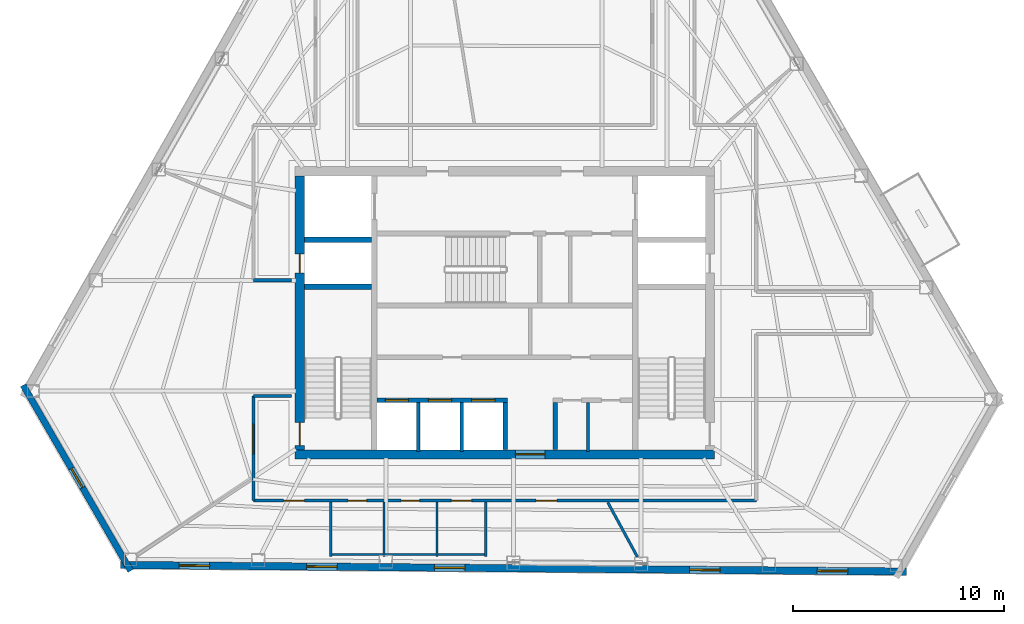
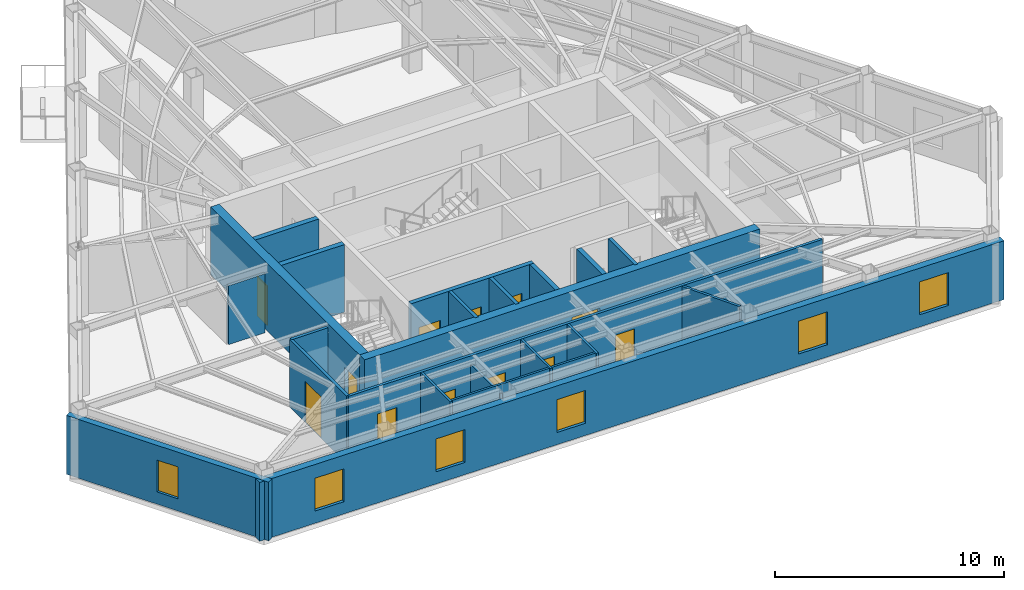
# One storey, part 5 of 9: 22 walls, 12 doors, 6 windows, 18 openings.
"""IFC4 building model written with IfcOpenShell, lengths in metres."""

from ifc_helpers import new_model, si_unit, direction, frame, frame_2d, origin, place, context, subcontext, project, spatial, rectangle, extrude, material, layer, layer_set, type_object, element, fill, save


model = new_model("IFC4")

# Units and contexts
model_context = context("Model", 3, precision=1e-05, world=origin(), true_north=direction((0.0, 1.0)))
body_context = subcontext(model_context, "Body", "Model", "MODEL_VIEW")
ifc_project = project(units=[si_unit("LENGTHUNIT", "METRE"), si_unit("AREAUNIT", "SQUARE_METRE"), si_unit("VOLUMEUNIT", "CUBIC_METRE"), si_unit("PLANEANGLEUNIT", "RADIAN"), si_unit("MASSUNIT", "GRAM", prefix="KILO")], contexts=[model_context])

# Site, building, storey
site_placement = place(None, origin())
site = spatial("IfcSite", under=ifc_project, at=site_placement, CompositionType="ELEMENT")
building_placement = place(site_placement, origin())
building = spatial("IfcBuilding", under=site, at=building_placement, Name="Kavelnor Concourse Tower", CompositionType="ELEMENT")
storey_placement = place(building_placement, frame((0.0, 0.0, 176.550048828125)))
storey = spatial("IfcBuildingStorey", under=building, at=storey_placement, Name="L44", CompositionType="ELEMENT", Elevation=176.550048828125)

# Wall, opening, door
ifc_material_1 = material(Name="Concrete C50/60", Category="concrete")
ifc_layer_1 = layer(ifc_material_1, 0.43994140625, Name="Concrete C50/60")
ifc_layer_set_1 = layer_set([ifc_layer_1], Name="Concrete C50/60")
wall_type_1 = type_object("IfcWallType", Name="WL-CORE-Z3-440", PredefinedType="SOLIDWALL", material=ifc_layer_set_1)
wall_1_placement = place(storey_placement, frame((28.0400390625, 9.3798828125, 0.0), z_axis=(0.0, 0.0, 1.0), x_axis=(1.0, 0.0, 0.0)))
wall_1 = element("IfcWall", 1, at=wall_1_placement, inside=storey, type_object=wall_type_1, Name="L44 Central Core South Shear Wall", PredefinedType="SOLIDWALL", context=body_context, shape_type="SweptSolid", body=[
    extrude(rectangle(XDim=19.919921875, YDim=0.43994140625, at=frame_2d((9.9599609375, 0.0))), origin(), (0.0, 0.0, 1.0), 3.599853515625),
])
opening_1_placement = place(wall_1_placement, frame((10.4599609375, 0.0, 0.0)))
opening_1 = element("IfcOpeningElement", 2, at=opening_1_placement, cuts=wall_1, Name="Opening SD-140", PredefinedType="OPENING", context=body_context, shape_type="SweptSolid", body=[
    extrude(rectangle(XDim=1.39990234375, YDim=2.199951171875, at=frame_2d((0.699951171875, 1.10009765625))), frame((0.0, 0.22998046875, 0.0), z_axis=(0.0, -1.0, 0.0), x_axis=(1.0, 0.0, 0.0)), (0.0, 0.0, 1.0), 0.4599609375),
])
ifc_material_2 = material(Name="Solid-core hardwood timber", Category="wood")
door_type_1 = type_object("IfcDoorType", Name="DR-SUITE-ENTRY-1400", OperationType="NOTDEFINED", PredefinedType="DOOR", material=ifc_material_2)
door_1_placement = place(opening_1_placement, origin())
door_1 = element("IfcDoor", 3, at=door_1_placement, inside=storey, type_object=door_type_1, Name="L44 Passenger Lift Lobby Entry Door", OperationType="SINGLE_SWING_LEFT", OverallHeight=2.199951171875, OverallWidth=1.39990234375, PredefinedType="DOOR", context=body_context, shape_type="SweptSolid", body=[
    extrude(rectangle(XDim=1.39990234375, YDim=2.199951171875, at=frame_2d((0.699951171875, 1.10009765625))), frame((0.0, 0.02490234375, 0.0), z_axis=(0.0, -1.0, 0.0), x_axis=(1.0, 0.0, 0.0)), (0.0, 0.0, 1.0), 0.050048828125),
])
fill(opening_1, door_1)

# Wall, openings, doors
wall_2_placement = place(storey_placement, frame((28.260009765625, 9.60009765625, 0.0), z_axis=(0.0, 0.0, 1.0), x_axis=(0.0, 1.0, 0.0)))
wall_2 = element("IfcWall", 4, at=wall_2_placement, inside=storey, type_object=wall_type_1, Name="L44 Central Core West Shear Wall", PredefinedType="SOLIDWALL", context=body_context, shape_type="SweptSolid", body=[
    extrude(rectangle(XDim=13.0, YDim=0.43994140625, at=frame_2d((6.5, 0.0))), origin(), (0.0, 0.0, 1.0), 3.599853515625),
])
opening_2_placement = place(wall_2_placement, frame((0.199951171875, 0.0, 0.0)))
opening_2 = element("IfcOpeningElement", 5, at=opening_2_placement, cuts=wall_2, Name="Opening FD-110", PredefinedType="OPENING", context=body_context, shape_type="SweptSolid", body=[
    extrude(rectangle(XDim=1.10009765625, YDim=2.14990234375, at=frame_2d((0.550048828125, 1.074951171875))), frame((0.0, 0.22998046875, 0.0), z_axis=(0.0, -1.0, 0.0), x_axis=(1.0, 0.0, 0.0)), (0.0, 0.0, 1.0), 0.4599609375),
])
opening_3_placement = place(wall_2_placement, frame((8.39990234375, 0.0, 0.0)))
opening_3 = element("IfcOpeningElement", 6, at=opening_3_placement, cuts=wall_2, Name="Opening FD-090", PredefinedType="OPENING", context=body_context, shape_type="SweptSolid", body=[
    extrude(rectangle(XDim=0.89990234375, YDim=2.10009765625, at=frame_2d((0.449951171875, 1.050048828125))), frame((0.0, 0.22998046875, 0.0), z_axis=(0.0, -1.0, 0.0), x_axis=(1.0, 0.0, 0.0)), (0.0, 0.0, 1.0), 0.4599609375),
])
ifc_material_3 = material(Name="Steel Grade 350", Category="steel")
door_type_2 = type_object("IfcDoorType", Name="DR-RISER-FIRE-900", OperationType="NOTDEFINED", PredefinedType="DOOR", material=ifc_material_3)
door_2_placement = place(opening_3_placement, origin())
door_2 = element("IfcDoor", 7, at=door_2_placement, inside=storey, type_object=door_type_2, Name="L44 West Riser Access Door", OperationType="SINGLE_SWING_RIGHT", OverallHeight=2.10009765625, OverallWidth=0.89990234375, PredefinedType="DOOR", context=body_context, shape_type="SweptSolid", body=[
    extrude(rectangle(XDim=0.89990234375, YDim=2.10009765625, at=frame_2d((0.449951171875, 1.050048828125))), frame((0.0, 0.02490234375, 0.0), z_axis=(0.0, -1.0, 0.0), x_axis=(1.0, 0.0, 0.0)), (0.0, 0.0, 1.0), 0.050048828125),
])
fill(opening_3, door_2)
door_type_3 = type_object("IfcDoorType", Name="DR-STAIR-FIRE-1100", OperationType="NOTDEFINED", PredefinedType="DOOR", material=ifc_material_3)
door_3_placement = place(opening_2_placement, origin())
door_3 = element("IfcDoor", 8, at=door_3_placement, inside=storey, type_object=door_type_3, Name="L44 Stair ST1 Fire Door", OperationType="SINGLE_SWING_LEFT", OverallHeight=2.14990234375, OverallWidth=1.10009765625, PredefinedType="DOOR", context=body_context, shape_type="SweptSolid", body=[
    extrude(rectangle(XDim=1.10009765625, YDim=2.14990234375, at=frame_2d((0.550048828125, 1.074951171875))), frame((0.0, 0.02490234375, 0.0), z_axis=(0.0, -1.0, 0.0), x_axis=(1.0, 0.0, 0.0)), (0.0, 0.0, 1.0), 0.050048828125),
])
fill(opening_2, door_3)

# Wall, opening, window
ifc_material_4 = material(Name="Buff ironspot clay face brick masonry", Category="masonry")
ifc_layer_2 = layer(ifc_material_4, 0.300048828125, Name="Buff ironspot clay face brick masonry")
ifc_layer_set_2 = layer_set([ifc_layer_2], Name="Buff ironspot clay face brick masonry")
wall_type_2 = type_object("IfcWallType", Name="WL-EXT-BUFF-BRICK-FOLD-300", PredefinedType="STANDARD", material=ifc_layer_set_2)
wall_3_placement = place(storey_placement, frame((20.23193359375, 3.8486328125, 0.0), z_axis=(0.0, 0.0, 1.0), x_axis=(-0.501026823905, 0.865431754517, 0.0)))
wall_3 = element("IfcWall", 9, at=wall_3_placement, inside=storey, type_object=wall_type_2, Name="L44 Exterior Brick Facade Wall E2", PredefinedType="STANDARD", context=body_context, shape_type="SweptSolid", body=[
    extrude(rectangle(XDim=10.1875, YDim=0.300048828125, at=frame_2d((5.09375, 0.0))), origin(), (0.0, 0.0, 1.0), 3.1318359375),
])
opening_4_placement = place(wall_3_placement, frame((4.56884765625, 0.0, 0.64990234375)))
opening_4 = element("IfcOpeningElement", 10, at=opening_4_placement, cuts=wall_3, Name="Opening W-06", PredefinedType="OPENING", context=body_context, shape_type="SweptSolid", body=[
    extrude(rectangle(XDim=1.050048828125, YDim=1.699951171875, at=frame_2d((0.52490234375, 0.85009765625))), frame((0.0, 0.16015625, 0.0), z_axis=(0.0, -1.0, 0.0), x_axis=(1.0, 0.0, 0.0)), (0.0, 0.0, 1.0), 0.320068359375),
])
ifc_material_5 = material(Name="Double low-E argon insulated glazing", Category="glass")
window_type_1 = type_object("IfcWindowType", Name="WIN-FOLD-1050", PartitioningType="SINGLE_PANEL", PredefinedType="WINDOW", material=ifc_material_5)
window_1_placement = place(opening_4_placement, origin())
window_1 = element("IfcWindow", 11, at=window_1_placement, inside=storey, type_object=window_type_1, Name="L44 Chamfer-Fold Facet Window C1", OverallHeight=1.699951171875, OverallWidth=1.050048828125, PartitioningType="SINGLE_PANEL", PredefinedType="WINDOW", context=body_context, shape_type="SweptSolid", body=[
    extrude(rectangle(XDim=1.050048828125, YDim=1.699951171875, at=frame_2d((0.52490234375, 0.85009765625))), frame((0.0, 0.030029296875, 0.0), z_axis=(0.0, -1.0, 0.0), x_axis=(1.0, 0.0, 0.0)), (0.0, 0.0, 1.0), 0.06005859375),
])
fill(opening_4, window_1)

# Wall, openings, windows
ifc_material_6 = material(Name="Red-ochre clay face brick masonry", Category="masonry")
ifc_layer_3 = layer(ifc_material_6, 0.35009765625, Name="Red-ochre clay face brick masonry")
ifc_layer_set_3 = layer_set([ifc_layer_3], Name="Red-ochre clay face brick masonry")
wall_type_3 = type_object("IfcWallType", Name="WL-EXT-RED-BRICK-PIER-350", PredefinedType="STANDARD", material=ifc_layer_set_3)
wall_4_placement = place(storey_placement, frame((57.072265625, 3.81396484375, 0.0), z_axis=(0.0, 0.0, 1.0), x_axis=(-0.999964560475, 0.008418895034, 0.0)))
wall_4 = element("IfcWall", 12, at=wall_4_placement, inside=storey, type_object=wall_type_3, Name="L44 Exterior Brick Facade Wall E3", PredefinedType="STANDARD", context=body_context, shape_type="SweptSolid", body=[
    extrude(rectangle(XDim=37.32177734375, YDim=0.35009765625, at=frame_2d((18.660888671875, 0.0))), origin(), (0.0, 0.0, 1.0), 3.1318359375),
])
opening_5_placement = place(wall_4_placement, frame((33.09228515625, 0.0, 0.64990234375)))
opening_5 = element("IfcOpeningElement", 13, at=opening_5_placement, cuts=wall_4, Name="Opening W-03", PredefinedType="OPENING", context=body_context, shape_type="SweptSolid", body=[
    extrude(rectangle(XDim=1.449951171875, YDim=1.75, at=frame_2d((0.72509765625, 0.875))), frame((0.0, 0.18505859375, 0.0), z_axis=(0.0, -1.0, 0.0), x_axis=(1.0, 0.0, 0.0)), (0.0, 0.0, 1.0), 0.3701171875),
])
opening_6_placement = place(wall_4_placement, frame((27.03125, 0.0, 0.64990234375)))
opening_6 = element("IfcOpeningElement", 14, at=opening_6_placement, cuts=wall_4, Name="Opening W-03", PredefinedType="OPENING", context=body_context, shape_type="SweptSolid", body=[
    extrude(rectangle(XDim=1.449951171875, YDim=1.75, at=frame_2d((0.72509765625, 0.875))), frame((0.0, 0.18505859375, 0.0), z_axis=(0.0, -1.0, 0.0), x_axis=(1.0, 0.0, 0.0)), (0.0, 0.0, 1.0), 0.3701171875),
])
opening_7_placement = place(wall_4_placement, frame((20.970458984375, 0.0, 0.64990234375)))
opening_7 = element("IfcOpeningElement", 15, at=opening_7_placement, cuts=wall_4, Name="Opening W-03", PredefinedType="OPENING", context=body_context, shape_type="SweptSolid", body=[
    extrude(rectangle(XDim=1.449951171875, YDim=1.75, at=frame_2d((0.72509765625, 0.875))), frame((0.0, 0.18505859375, 0.0), z_axis=(0.0, -1.0, 0.0), x_axis=(1.0, 0.0, 0.0)), (0.0, 0.0, 1.0), 0.3701171875),
])
opening_8_placement = place(wall_4_placement, frame((8.8486328125, 0.0, 0.64990234375)))
opening_8 = element("IfcOpeningElement", 16, at=opening_8_placement, cuts=wall_4, Name="Opening W-03", PredefinedType="OPENING", context=body_context, shape_type="SweptSolid", body=[
    extrude(rectangle(XDim=1.449951171875, YDim=1.75, at=frame_2d((0.72509765625, 0.875))), frame((0.0, 0.18505859375, 0.0), z_axis=(0.0, -1.0, 0.0), x_axis=(1.0, 0.0, 0.0)), (0.0, 0.0, 1.0), 0.3701171875),
])
opening_9_placement = place(wall_4_placement, frame((2.78759765625, 0.0, 0.64990234375)))
opening_9 = element("IfcOpeningElement", 17, at=opening_9_placement, cuts=wall_4, Name="Opening W-03", PredefinedType="OPENING", context=body_context, shape_type="SweptSolid", body=[
    extrude(rectangle(XDim=1.449951171875, YDim=1.75, at=frame_2d((0.72509765625, 0.875))), frame((0.0, 0.18505859375, 0.0), z_axis=(0.0, -1.0, 0.0), x_axis=(1.0, 0.0, 0.0)), (0.0, 0.0, 1.0), 0.3701171875),
])
window_type_2 = type_object("IfcWindowType", Name="WIN-PIER-Z3-1500", PartitioningType="SINGLE_PANEL", PredefinedType="WINDOW", material=ifc_material_5)
window_2_placement = place(opening_5_placement, origin())
window_2 = element("IfcWindow", 18, at=window_2_placement, inside=storey, type_object=window_type_2, Name="L44 Deep-Set Brick Pier Window F1-B0", OverallHeight=1.75, OverallWidth=1.449951171875, PartitioningType="SINGLE_PANEL", PredefinedType="WINDOW", context=body_context, shape_type="SweptSolid", body=[
    extrude(rectangle(XDim=1.449951171875, YDim=1.75, at=frame_2d((0.72509765625, 0.875))), frame((0.0, 0.030029296875, 0.0), z_axis=(0.0, -1.0, 0.0), x_axis=(1.0, 0.0, 0.0)), (0.0, 0.0, 1.0), 0.06005859375),
])
fill(opening_5, window_2)
window_3_placement = place(opening_6_placement, origin())
window_3 = element("IfcWindow", 19, at=window_3_placement, inside=storey, type_object=window_type_2, Name="L44 Deep-Set Brick Pier Window F1-B1", OverallHeight=1.75, OverallWidth=1.449951171875, PartitioningType="SINGLE_PANEL", PredefinedType="WINDOW", context=body_context, shape_type="SweptSolid", body=[
    extrude(rectangle(XDim=1.449951171875, YDim=1.75, at=frame_2d((0.72509765625, 0.875))), frame((0.0, 0.030029296875, 0.0), z_axis=(0.0, -1.0, 0.0), x_axis=(1.0, 0.0, 0.0)), (0.0, 0.0, 1.0), 0.06005859375),
])
fill(opening_6, window_3)
window_4_placement = place(opening_7_placement, origin())
window_4 = element("IfcWindow", 20, at=window_4_placement, inside=storey, type_object=window_type_2, Name="L44 Deep-Set Brick Pier Window F1-B2", OverallHeight=1.75, OverallWidth=1.449951171875, PartitioningType="SINGLE_PANEL", PredefinedType="WINDOW", context=body_context, shape_type="SweptSolid", body=[
    extrude(rectangle(XDim=1.449951171875, YDim=1.75, at=frame_2d((0.72509765625, 0.875))), frame((0.0, 0.030029296875, 0.0), z_axis=(0.0, -1.0, 0.0), x_axis=(1.0, 0.0, 0.0)), (0.0, 0.0, 1.0), 0.06005859375),
])
fill(opening_7, window_4)
window_5_placement = place(opening_8_placement, origin())
window_5 = element("IfcWindow", 21, at=window_5_placement, inside=storey, type_object=window_type_2, Name="L44 Deep-Set Brick Pier Window F1-B4", OverallHeight=1.75, OverallWidth=1.449951171875, PartitioningType="SINGLE_PANEL", PredefinedType="WINDOW", context=body_context, shape_type="SweptSolid", body=[
    extrude(rectangle(XDim=1.449951171875, YDim=1.75, at=frame_2d((0.72509765625, 0.875))), frame((0.0, 0.030029296875, 0.0), z_axis=(0.0, -1.0, 0.0), x_axis=(1.0, 0.0, 0.0)), (0.0, 0.0, 1.0), 0.06005859375),
])
fill(opening_8, window_5)
window_6_placement = place(opening_9_placement, origin())
window_6 = element("IfcWindow", 22, at=window_6_placement, inside=storey, type_object=window_type_2, Name="L44 Deep-Set Brick Pier Window F1-B5", OverallHeight=1.75, OverallWidth=1.449951171875, PartitioningType="SINGLE_PANEL", PredefinedType="WINDOW", context=body_context, shape_type="SweptSolid", body=[
    extrude(rectangle(XDim=1.449951171875, YDim=1.75, at=frame_2d((0.72509765625, 0.875))), frame((0.0, 0.030029296875, 0.0), z_axis=(0.0, -1.0, 0.0), x_axis=(1.0, 0.0, 0.0)), (0.0, 0.0, 1.0), 0.06005859375),
])
fill(opening_9, window_6)

# Wall
ifc_material_7 = material(Name="Gypsum plasterboard on light-gauge steel studs", Category="steel")
ifc_layer_4 = layer(ifc_material_7, 0.14501953125, Name="Gypsum plasterboard on light-gauge steel studs")
ifc_layer_set_4 = layer_set([ifc_layer_4], Name="Gypsum plasterboard on light-gauge steel studs")
wall_type_4 = type_object("IfcWallType", Name="WL-INT-CORR-145", PredefinedType="PARTITIONING", material=ifc_layer_set_4)
wall_5_placement = place(storey_placement, frame((27.8798828125, 17.64990234375, 0.0), z_axis=(0.0, 0.0, 1.0), x_axis=(-1.0, 0.0, 0.0)))
element("IfcWall", 23, at=wall_5_placement, inside=storey, type_object=wall_type_4, Name="L44 Corridor Wall WL-L44-CR-01", PredefinedType="PARTITIONING", context=body_context, shape_type="SweptSolid", body=[
    extrude(rectangle(XDim=1.81982421875, YDim=0.14501953125, at=frame_2d((0.909912109375, 0.0))), origin(), (0.0, 0.0, 1.0), 3.140869140625),
])

# Wall, openings, doors
wall_6_placement = place(storey_placement, frame((49.93994140625, 7.179931640625, 0.0), z_axis=(0.0, 0.0, 1.0), x_axis=(-1.0, 0.0, 0.0)))
wall_6 = element("IfcWall", 24, at=wall_6_placement, inside=storey, type_object=wall_type_4, Name="L44 Corridor Wall WL-L44-CR-17", PredefinedType="PARTITIONING", context=body_context, shape_type="SweptSolid", body=[
    extrude(rectangle(XDim=23.8798828125, YDim=0.14501953125, at=frame_2d((11.93994140625, 0.0))), origin(), (0.0, 0.0, 1.0), 3.599853515625),
])
opening_10_placement = place(wall_6_placement, frame((18.5, 0.0, 0.0)))
opening_10 = element("IfcOpeningElement", 25, at=opening_10_placement, cuts=wall_6, Name="Opening WD-088", PredefinedType="OPENING", context=body_context, shape_type="SweptSolid", body=[
    extrude(rectangle(XDim=0.8798828125, YDim=2.10009765625, at=frame_2d((0.43994140625, 1.050048828125))), frame((0.0, 0.08251953125, 0.0), z_axis=(0.0, -1.0, 0.0), x_axis=(1.0, 0.0, 0.0)), (0.0, 0.0, 1.0), 0.1650390625),
])
opening_11_placement = place(wall_6_placement, frame((15.97998046875, 0.0, 0.0)))
opening_11 = element("IfcOpeningElement", 26, at=opening_11_placement, cuts=wall_6, Name="Opening WD-088", PredefinedType="OPENING", context=body_context, shape_type="SweptSolid", body=[
    extrude(rectangle(XDim=0.8798828125, YDim=2.10009765625, at=frame_2d((0.43994140625, 1.050048828125))), frame((0.0, 0.08251953125, 0.0), z_axis=(0.0, -1.0, 0.0), x_axis=(1.0, 0.0, 0.0)), (0.0, 0.0, 1.0), 0.1650390625),
])
opening_12_placement = place(wall_6_placement, frame((13.52001953125, 0.0, 0.0)))
opening_12 = element("IfcOpeningElement", 27, at=opening_12_placement, cuts=wall_6, Name="Opening WD-096", PredefinedType="OPENING", context=body_context, shape_type="SweptSolid", body=[
    extrude(rectangle(XDim=0.9599609375, YDim=2.10009765625, at=frame_2d((0.47998046875, 1.050048828125))), frame((0.0, 0.08251953125, 0.0), z_axis=(0.0, -1.0, 0.0), x_axis=(1.0, 0.0, 0.0)), (0.0, 0.0, 1.0), 0.1650390625),
])
opening_13_placement = place(wall_6_placement, frame((21.45947265625, 0.0, 0.0)))
opening_13 = element("IfcOpeningElement", 28, at=opening_13_placement, cuts=wall_6, Name="Opening OD-098", PredefinedType="OPENING", context=body_context, shape_type="SweptSolid", body=[
    extrude(rectangle(XDim=0.97998046875, YDim=2.14990234375, at=frame_2d((0.489990234375, 1.074951171875))), frame((0.0, 0.08251953125, 0.0), z_axis=(0.0, -1.0, 0.0), x_axis=(1.0, 0.0, 0.0)), (0.0, 0.0, 1.0), 0.1650390625),
])
opening_14_placement = place(wall_6_placement, frame((9.471435546875, 0.0, 0.0)))
opening_14 = element("IfcOpeningElement", 29, at=opening_14_placement, cuts=wall_6, Name="Opening OD-098", PredefinedType="OPENING", context=body_context, shape_type="SweptSolid", body=[
    extrude(rectangle(XDim=0.97998046875, YDim=2.14990234375, at=frame_2d((0.489990234375, 1.074951171875))), frame((0.0, 0.08251953125, 0.0), z_axis=(0.0, -1.0, 0.0), x_axis=(1.0, 0.0, 0.0)), (0.0, 0.0, 1.0), 0.1650390625),
])
door_type_4 = type_object("IfcDoorType", Name="DR-OFFICE-980", OperationType="NOTDEFINED", PredefinedType="DOOR", material=ifc_material_2)
door_4_placement = place(opening_13_placement, origin())
door_4 = element("IfcDoor", 30, at=door_4_placement, inside=storey, type_object=door_type_4, Name="L44 Workplace Open Office 05 Door", OperationType="SINGLE_SWING_RIGHT", OverallHeight=2.14990234375, OverallWidth=0.97998046875, PredefinedType="DOOR", context=body_context, shape_type="SweptSolid", body=[
    extrude(rectangle(XDim=0.97998046875, YDim=2.14990234375, at=frame_2d((0.489990234375, 1.074951171875))), frame((0.0, 0.02490234375, 0.0), z_axis=(0.0, -1.0, 0.0), x_axis=(1.0, 0.0, 0.0)), (0.0, 0.0, 1.0), 0.050048828125),
])
fill(opening_13, door_4)
door_5_placement = place(opening_14_placement, origin())
door_5 = element("IfcDoor", 31, at=door_5_placement, inside=storey, type_object=door_type_4, Name="L44 Workplace Open Office 06 Door", OperationType="SINGLE_SWING_LEFT", OverallHeight=2.14990234375, OverallWidth=0.97998046875, PredefinedType="DOOR", context=body_context, shape_type="SweptSolid", body=[
    extrude(rectangle(XDim=0.97998046875, YDim=2.14990234375, at=frame_2d((0.489990234375, 1.074951171875))), frame((0.0, 0.02490234375, 0.0), z_axis=(0.0, -1.0, 0.0), x_axis=(1.0, 0.0, 0.0)), (0.0, 0.0, 1.0), 0.050048828125),
])
fill(opening_14, door_5)
door_type_5 = type_object("IfcDoorType", Name="DR-WC-ACC-960", OperationType="NOTDEFINED", PredefinedType="DOOR", material=ifc_material_2)
door_6_placement = place(opening_12_placement, origin())
door_6 = element("IfcDoor", 32, at=door_6_placement, inside=storey, type_object=door_type_5, Name="L44 Accessible WC Door", OperationType="SINGLE_SWING_LEFT", OverallHeight=2.10009765625, OverallWidth=0.9599609375, PredefinedType="DOOR", context=body_context, shape_type="SweptSolid", body=[
    extrude(rectangle(XDim=0.9599609375, YDim=2.10009765625, at=frame_2d((0.47998046875, 1.050048828125))), frame((0.0, 0.02490234375, 0.0), z_axis=(0.0, -1.0, 0.0), x_axis=(1.0, 0.0, 0.0)), (0.0, 0.0, 1.0), 0.050048828125),
])
fill(opening_12, door_6)
door_type_6 = type_object("IfcDoorType", Name="DR-WC-STD-880", OperationType="NOTDEFINED", PredefinedType="DOOR", material=ifc_material_2)
door_7_placement = place(opening_10_placement, origin())
door_7 = element("IfcDoor", 33, at=door_7_placement, inside=storey, type_object=door_type_6, Name="L44 Male WC Door", OperationType="SINGLE_SWING_LEFT", OverallHeight=2.10009765625, OverallWidth=0.8798828125, PredefinedType="DOOR", context=body_context, shape_type="SweptSolid", body=[
    extrude(rectangle(XDim=0.8798828125, YDim=2.10009765625, at=frame_2d((0.43994140625, 1.050048828125))), frame((0.0, 0.02490234375, 0.0), z_axis=(0.0, -1.0, 0.0), x_axis=(1.0, 0.0, 0.0)), (0.0, 0.0, 1.0), 0.050048828125),
])
fill(opening_10, door_7)
door_8_placement = place(opening_11_placement, origin())
door_8 = element("IfcDoor", 34, at=door_8_placement, inside=storey, type_object=door_type_6, Name="L44 Female WC Door", OperationType="SINGLE_SWING_RIGHT", OverallHeight=2.10009765625, OverallWidth=0.8798828125, PredefinedType="DOOR", context=body_context, shape_type="SweptSolid", body=[
    extrude(rectangle(XDim=0.8798828125, YDim=2.10009765625, at=frame_2d((0.43994140625, 1.050048828125))), frame((0.0, 0.02490234375, 0.0), z_axis=(0.0, -1.0, 0.0), x_axis=(1.0, 0.0, 0.0)), (0.0, 0.0, 1.0), 0.050048828125),
])
fill(opening_11, door_8)

# Wall, opening, door
wall_7_placement = place(storey_placement, frame((26.06005859375, 7.179931640625, 0.0), z_axis=(0.0, 0.0, 1.0), x_axis=(0.0, 1.0, 0.0)))
wall_7 = element("IfcWall", 35, at=wall_7_placement, inside=storey, type_object=wall_type_4, Name="L44 Corridor Wall WL-L44-CR-18", PredefinedType="PARTITIONING", context=body_context, shape_type="SweptSolid", body=[
    extrude(rectangle(XDim=4.969970703125, YDim=0.14501953125, at=frame_2d((2.48486328125, 0.0))), origin(), (0.0, 0.0, 1.0), 3.599853515625),
])
opening_15_placement = place(wall_7_placement, frame((2.22509765625, 0.0, 0.0)))
opening_15 = element("IfcOpeningElement", 36, at=opening_15_placement, cuts=wall_7, Name="Opening SD-140", PredefinedType="OPENING", context=body_context, shape_type="SweptSolid", body=[
    extrude(rectangle(XDim=1.39990234375, YDim=2.199951171875, at=frame_2d((0.699951171875, 1.10009765625))), frame((0.0, 0.08251953125, 0.0), z_axis=(0.0, -1.0, 0.0), x_axis=(1.0, 0.0, 0.0)), (0.0, 0.0, 1.0), 0.1650390625),
])
door_9_placement = place(opening_15_placement, origin())
door_9 = element("IfcDoor", 37, at=door_9_placement, inside=storey, type_object=door_type_1, Name="L44 Workplace Open Office 04 Door", OperationType="SINGLE_SWING_LEFT", OverallHeight=2.199951171875, OverallWidth=1.39990234375, PredefinedType="DOOR", context=body_context, shape_type="SweptSolid", body=[
    extrude(rectangle(XDim=1.39990234375, YDim=2.199951171875, at=frame_2d((0.699951171875, 1.10009765625))), frame((0.0, 0.02490234375, 0.0), z_axis=(0.0, -1.0, 0.0), x_axis=(1.0, 0.0, 0.0)), (0.0, 0.0, 1.0), 0.050048828125),
])
fill(opening_15, door_9)

# Walls
wall_8_placement = place(storey_placement, frame((26.06005859375, 12.14990234375, 0.0), z_axis=(0.0, 0.0, 1.0), x_axis=(1.0, 0.0, 0.0)))
element("IfcWall", 38, at=wall_8_placement, inside=storey, type_object=wall_type_4, Name="L44 Corridor Wall WL-L44-CR-19", PredefinedType="PARTITIONING", context=body_context, shape_type="SweptSolid", body=[
    extrude(rectangle(XDim=1.81982421875, YDim=0.14501953125, at=frame_2d((0.909912109375, 0.0))), origin(), (0.0, 0.0, 1.0), 3.599853515625),
])
ifc_layer_5 = layer(ifc_material_7, 0.1650390625, Name="Gypsum plasterboard on light-gauge steel studs")
ifc_layer_set_5 = layer_set([ifc_layer_5], Name="Gypsum plasterboard on light-gauge steel studs")
wall_type_5 = type_object("IfcWallType", Name="WL-INT-FIRE-165", PredefinedType="PARTITIONING", material=ifc_layer_set_5)
for number, where, z_axis, x_axis, name in (
    (39, (33.89990234375, 9.52001953125, 0.0), (0.0, 0.0, 1.0), (0.0, 1.0, 0.0), "L44 Lift Shaft Divider LP7"),
    (40, (35.949951171875, 9.52001953125, 0.0), (0.0, 0.0, 1.0), (0.0, 1.0, 0.0), "L44 Lift Shaft Divider LP8"),
    (41, (41.949951171875, 9.52001953125, 0.0), (0.0, 0.0, 1.0), (0.0, 1.0, 0.0), "L44 Core WC Partition"),
):
    element("IfcWall", number, at=place(storey_placement, frame(where, z_axis=z_axis, x_axis=x_axis)), inside=storey, type_object=wall_type_5, Name=name, PredefinedType="PARTITIONING", context=body_context, shape_type="SweptSolid", body=[
        extrude(rectangle(XDim=2.320068359375, YDim=0.1650390625, at=frame_2d((1.16015625, 0.0))), origin(), (0.0, 0.0, 1.0), 3.599853515625),
    ])
ifc_layer_6 = layer(ifc_material_7, 0.125, Name="Gypsum plasterboard on light-gauge steel studs")
ifc_layer_set_6 = layer_set([ifc_layer_6], Name="Gypsum plasterboard on light-gauge steel studs")
wall_type_6 = type_object("IfcWallType", Name="WL-INT-SUITE-125", PredefinedType="PARTITIONING", material=ifc_layer_set_6)
wall_9_placement = place(storey_placement, frame((42.89013671875, 7.099609375, 0.0), z_axis=(0.0, 0.0, 1.0), x_axis=(0.47740175034, -0.87868513631, 0.0)))
element("IfcWall", 42, at=wall_9_placement, inside=storey, type_object=wall_type_6, Name="L44 Radial Suite Partition 05", PredefinedType="PARTITIONING", context=body_context, shape_type="SweptSolid", body=[
    extrude(rectangle(XDim=2.93798828125, YDim=0.125, at=frame_2d((1.468994140625, 0.0))), origin(), (0.0, 0.0, 1.0), 3.599853515625),
])
ifc_layer_7 = layer(ifc_material_7, 0.110107421875, Name="Gypsum plasterboard on light-gauge steel studs")
ifc_layer_set_7 = layer_set([ifc_layer_7], Name="Gypsum plasterboard on light-gauge steel studs")
wall_type_7 = type_object("IfcWallType", Name="WL-INT-WC-110", PredefinedType="PLUMBINGWALL", material=ifc_layer_set_7)
wall_10_placement = place(storey_placement, frame((29.739990234375, 4.530029296875, 0.0), z_axis=(0.0, 0.0, 1.0), x_axis=(0.0, 1.0, 0.0)))
element("IfcWall", 43, at=wall_10_placement, inside=storey, type_object=wall_type_7, Name="L44 Sanitary Partition WL-L44-WC-W", PredefinedType="PLUMBINGWALL", context=body_context, shape_type="SweptSolid", body=[
    extrude(rectangle(XDim=2.580078125, YDim=0.110107421875, at=frame_2d((1.2900390625, 0.0))), origin(), (0.0, 0.0, 1.0), 3.599853515625),
])
wall_11_placement = place(storey_placement, frame((32.260009765625, 4.530029296875, 0.0), z_axis=(0.0, 0.0, 1.0), x_axis=(0.0, 1.0, 0.0)))
element("IfcWall", 44, at=wall_11_placement, inside=storey, type_object=wall_type_7, Name="L44 Sanitary Partition WL-L44-WC-D1", PredefinedType="PLUMBINGWALL", context=body_context, shape_type="SweptSolid", body=[
    extrude(rectangle(XDim=2.580078125, YDim=0.110107421875, at=frame_2d((1.2900390625, 0.0))), origin(), (0.0, 0.0, 1.0), 3.140869140625),
])
for number, where, z_axis, x_axis, name in (
    (45, (34.780029296875, 4.530029296875, 0.0), (0.0, 0.0, 1.0), (0.0, 1.0, 0.0), "L44 Sanitary Partition WL-L44-WC-D2"),
    (46, (37.10009765625, 4.530029296875, 0.0), (0.0, 0.0, 1.0), (0.0, 1.0, 0.0), "L44 Sanitary Partition WL-L44-WC-E"),
):
    element("IfcWall", number, at=place(storey_placement, frame(where, z_axis=z_axis, x_axis=x_axis)), inside=storey, type_object=wall_type_7, Name=name, PredefinedType="PLUMBINGWALL", context=body_context, shape_type="SweptSolid", body=[
        extrude(rectangle(XDim=2.580078125, YDim=0.110107421875, at=frame_2d((1.2900390625, 0.0))), origin(), (0.0, 0.0, 1.0), 3.599853515625),
    ])
wall_12_placement = place(storey_placement, frame((29.68994140625, 4.6298828125, 0.0), z_axis=(0.0, 0.0, 1.0), x_axis=(1.0, 0.0, 0.0)))
element("IfcWall", 47, at=wall_12_placement, inside=storey, type_object=wall_type_7, Name="L44 Sanitary Partition WL-L44-WC-S", PredefinedType="PLUMBINGWALL", context=body_context, shape_type="SweptSolid", body=[
    extrude(rectangle(XDim=7.4599609375, YDim=0.110107421875, at=frame_2d((3.72998046875, 0.0))), origin(), (0.0, 0.0, 1.0), 3.599853515625),
])

# Wall, openings, doors
ifc_layer_8 = layer(ifc_material_1, 0.219970703125, Name="Concrete C50/60")
ifc_layer_set_8 = layer_set([ifc_layer_8], Name="Concrete C50/60")
wall_type_8 = type_object("IfcWallType", Name="WL-SHAFT-220", PredefinedType="SOLIDWALL", material=ifc_layer_set_8)
wall_13_placement = place(storey_placement, frame((31.93994140625, 11.949951171875, 0.0), z_axis=(0.0, 0.0, 1.0), x_axis=(1.0, 0.0, 0.0)))
wall_13 = element("IfcWall", 48, at=wall_13_placement, inside=storey, type_object=wall_type_8, Name="L44 High-Rise Lift Bank North Wall", PredefinedType="SOLIDWALL", context=body_context, shape_type="SweptSolid", body=[
    extrude(rectangle(XDim=6.18994140625, YDim=0.219970703125, at=frame_2d((3.094970703125, 0.0))), origin(), (0.0, 0.0, 1.0), 3.599853515625),
])
opening_16_placement = place(wall_13_placement, frame((0.385009765625, 0.0, 0.0)))
opening_16 = element("IfcOpeningElement", 49, at=opening_16_placement, cuts=wall_13, Name="Opening LD-110", PredefinedType="OPENING", context=body_context, shape_type="SweptSolid", body=[
    extrude(rectangle(XDim=1.10009765625, YDim=2.199951171875, at=frame_2d((0.550048828125, 1.10009765625))), frame((0.0, 0.1201171875, 0.0), z_axis=(0.0, -1.0, 0.0), x_axis=(1.0, 0.0, 0.0)), (0.0, 0.0, 1.0), 0.239990234375),
])
opening_17_placement = place(wall_13_placement, frame((2.43505859375, 0.0, 0.0)))
opening_17 = element("IfcOpeningElement", 50, at=opening_17_placement, cuts=wall_13, Name="Opening LD-110", PredefinedType="OPENING", context=body_context, shape_type="SweptSolid", body=[
    extrude(rectangle(XDim=1.10009765625, YDim=2.199951171875, at=frame_2d((0.550048828125, 1.10009765625))), frame((0.0, 0.1201171875, 0.0), z_axis=(0.0, -1.0, 0.0), x_axis=(1.0, 0.0, 0.0)), (0.0, 0.0, 1.0), 0.239990234375),
])
opening_18_placement = place(wall_13_placement, frame((4.485107421875, 0.0, 0.0)))
opening_18 = element("IfcOpeningElement", 51, at=opening_18_placement, cuts=wall_13, Name="Opening LD-110", PredefinedType="OPENING", context=body_context, shape_type="SweptSolid", body=[
    extrude(rectangle(XDim=1.10009765625, YDim=2.199951171875, at=frame_2d((0.550048828125, 1.10009765625))), frame((0.0, 0.1201171875, 0.0), z_axis=(0.0, -1.0, 0.0), x_axis=(1.0, 0.0, 0.0)), (0.0, 0.0, 1.0), 0.239990234375),
])
door_type_7 = type_object("IfcDoorType", Name="DR-LIFT-SLIDING-1100", OperationType="NOTDEFINED", PredefinedType="DOOR", material=ifc_material_3)
door_10_placement = place(opening_16_placement, origin())
door_10 = element("IfcDoor", 52, at=door_10_placement, inside=storey, type_object=door_type_7, Name="L44 Lift LP7 Landing Door", OperationType="DOUBLE_DOOR_SLIDING", OverallHeight=2.199951171875, OverallWidth=1.10009765625, PredefinedType="DOOR", context=body_context, shape_type="SweptSolid", body=[
    extrude(rectangle(XDim=1.10009765625, YDim=2.199951171875, at=frame_2d((0.550048828125, 1.10009765625))), frame((0.0, 0.02490234375, 0.0), z_axis=(0.0, -1.0, 0.0), x_axis=(1.0, 0.0, 0.0)), (0.0, 0.0, 1.0), 0.050048828125),
])
fill(opening_16, door_10)
door_11_placement = place(opening_17_placement, origin())
door_11 = element("IfcDoor", 53, at=door_11_placement, inside=storey, type_object=door_type_7, Name="L44 Lift LP8 Landing Door", OperationType="DOUBLE_DOOR_SLIDING", OverallHeight=2.199951171875, OverallWidth=1.10009765625, PredefinedType="DOOR", context=body_context, shape_type="SweptSolid", body=[
    extrude(rectangle(XDim=1.10009765625, YDim=2.199951171875, at=frame_2d((0.550048828125, 1.10009765625))), frame((0.0, 0.02490234375, 0.0), z_axis=(0.0, -1.0, 0.0), x_axis=(1.0, 0.0, 0.0)), (0.0, 0.0, 1.0), 0.050048828125),
])
fill(opening_17, door_11)
door_12_placement = place(opening_18_placement, origin())
door_12 = element("IfcDoor", 54, at=door_12_placement, inside=storey, type_object=door_type_7, Name="L44 Lift LP9 Landing Door", OperationType="DOUBLE_DOOR_SLIDING", OverallHeight=2.199951171875, OverallWidth=1.10009765625, PredefinedType="DOOR", context=body_context, shape_type="SweptSolid", body=[
    extrude(rectangle(XDim=1.10009765625, YDim=2.199951171875, at=frame_2d((0.550048828125, 1.10009765625))), frame((0.0, 0.02490234375, 0.0), z_axis=(0.0, -1.0, 0.0), x_axis=(1.0, 0.0, 0.0)), (0.0, 0.0, 1.0), 0.050048828125),
])
fill(opening_18, door_12)

# Walls
for number, where, z_axis, x_axis, name in (
    (55, (38.02001953125, 9.60009765625, 0.0), (0.0, 0.0, 1.0), (0.0, 1.0, 0.0), "L44 Lift Lobby Throat West Wall"),
    (56, (40.389892578125, 9.60009765625, 0.0), (0.0, 0.0, 1.0), (0.0, 1.0, 0.0), "L44 Lift Lobby Throat East Wall"),
):
    element("IfcWall", number, at=place(storey_placement, frame(where, z_axis=z_axis, x_axis=x_axis)), inside=storey, type_object=wall_type_8, Name=name, PredefinedType="SOLIDWALL", context=body_context, shape_type="SweptSolid", body=[
        extrude(rectangle(XDim=2.239990234375, YDim=0.219970703125, at=frame_2d((1.1201171875, 0.0))), origin(), (0.0, 0.0, 1.0), 3.599853515625),
    ])
ifc_layer_9 = layer(ifc_material_1, 0.260009765625, Name="Concrete C50/60")
ifc_layer_set_9 = layer_set([ifc_layer_9], Name="Concrete C50/60")
wall_type_9 = type_object("IfcWallType", Name="WL-SHAFT-260", PredefinedType="SHEAR", material=ifc_layer_set_9)
for number, where, z_axis, x_axis, name in (
    (57, (28.47998046875, 17.330078125, 0.0), (0.0, 0.0, 1.0), (1.0, 0.0, 0.0), "L44 Stair ST1 North Shaft Wall"),
    (58, (28.47998046875, 19.570068359375, 0.0), (0.0, 0.0, 1.0), (1.0, 0.0, 0.0), "L44 Emergency Lift FL1 South Shaft Wall"),
):
    element("IfcWall", number, at=place(storey_placement, frame(where, z_axis=z_axis, x_axis=x_axis)), inside=storey, type_object=wall_type_9, Name=name, PredefinedType="SHEAR", context=body_context, shape_type="SweptSolid", body=[
        extrude(rectangle(XDim=3.199951171875, YDim=0.260009765625, at=frame_2d((1.60009765625, 0.0))), origin(), (0.0, 0.0, 1.0), 3.599853515625),
    ])

save(model, "model.ifc")
